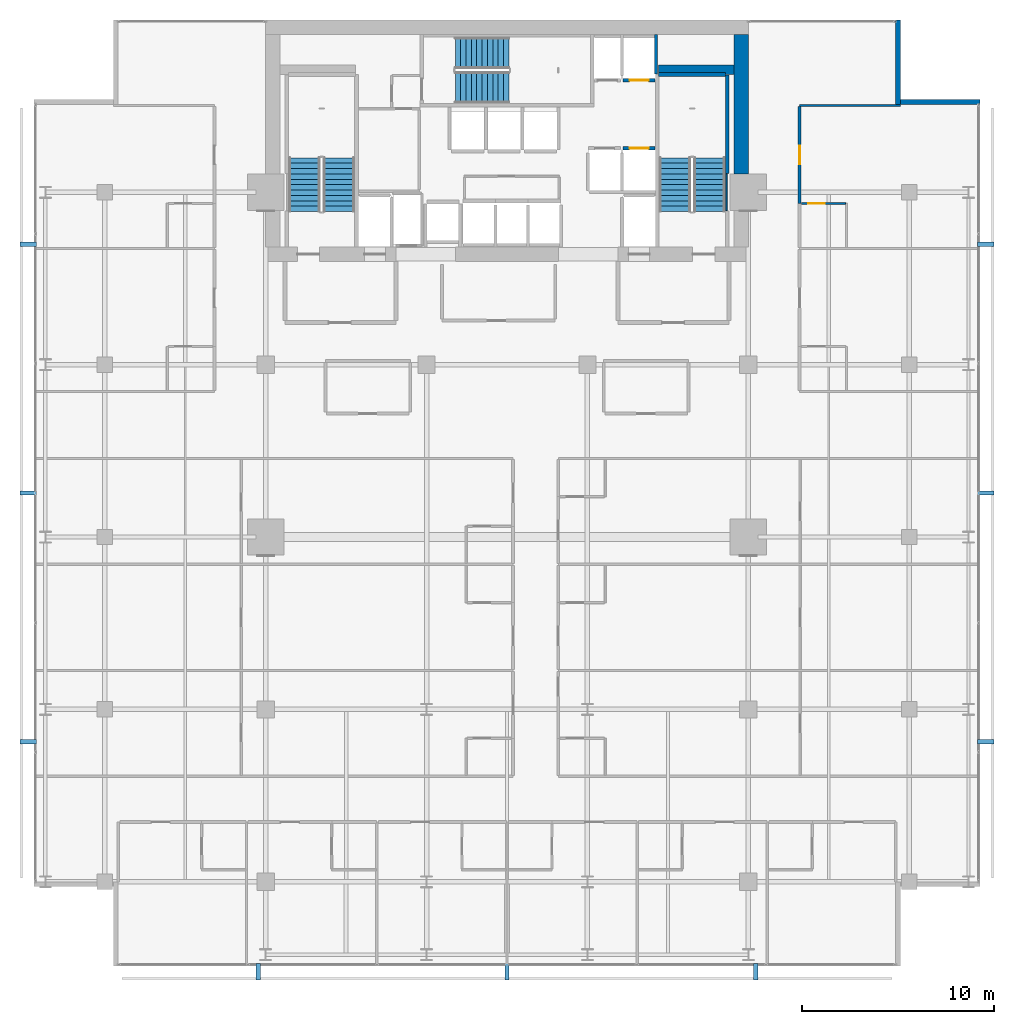
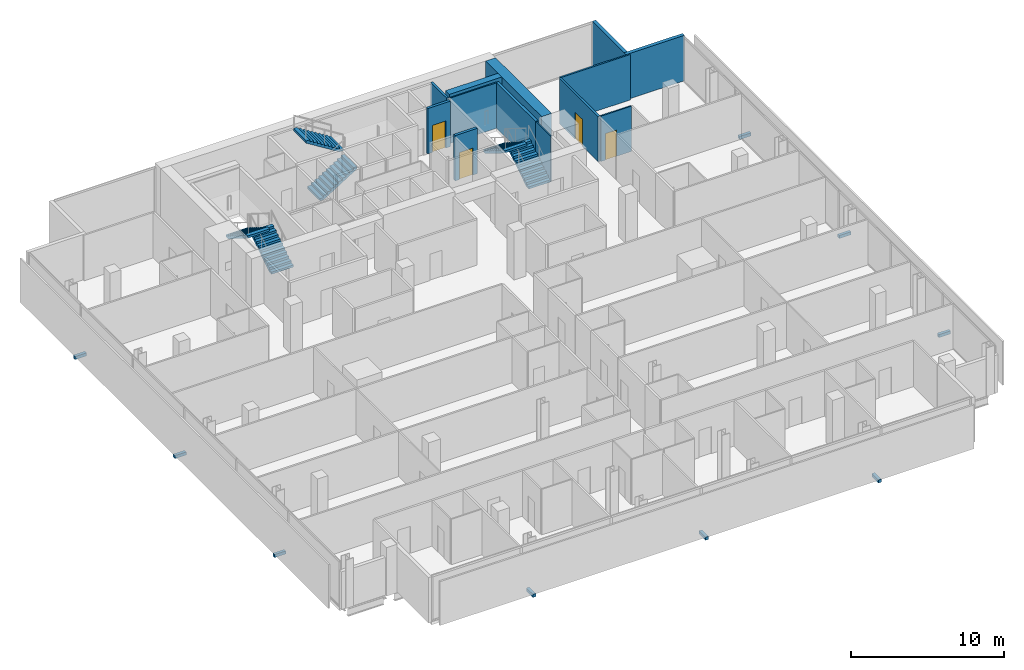
# One storey, part 31 of 33: 13 walls, 9 discrete accessories, 6 stair flights, 4 doors, 4 openings, 3 elements without a shape of their own.
"""IFC4 building model written with IfcOpenShell, lengths in metres."""

from ifc_helpers import new_model, si_unit, direction, frame, frame_2d, origin, origin_2d, place, context, subcontext, project, spatial, polyline, rectangle, outline, extrude, material, layer, layer_set, type_object, element, fill, aggregate, save


model = new_model("IFC4")

# Units and contexts
model_context = context("Model", 3, precision=1e-05, world=origin(), true_north=direction((0.0, 1.0)))
body_context = subcontext(model_context, "Body", "Model", "MODEL_VIEW")
ifc_project = project(units=[si_unit("LENGTHUNIT", "METRE"), si_unit("AREAUNIT", "SQUARE_METRE"), si_unit("VOLUMEUNIT", "CUBIC_METRE"), si_unit("PLANEANGLEUNIT", "RADIAN"), si_unit("MASSUNIT", "GRAM", prefix="KILO")], contexts=[model_context])

# Site, building, storey
site_placement = place(None, origin())
site = spatial("IfcSite", under=ifc_project, at=site_placement, CompositionType="ELEMENT")
building_placement = place(site_placement, origin())
building = spatial("IfcBuilding", under=site, at=building_placement, Name="Maruvema Waterfront Hotel and Observation Tower", CompositionType="ELEMENT")
storey_placement = place(building_placement, frame((0.0, 0.0, 150.5)))
storey = spatial("IfcBuildingStorey", under=building, at=storey_placement, Name="L36", CompositionType="ELEMENT", Elevation=150.5)

# Wall, opening, door
ifc_material_1 = material(Name="Twin-stud acoustic gypsum drywall", Category="gypsum")
ifc_layer_1 = layer(ifc_material_1, 0.14990234375, Name="Acoustic Corridor and Suite Demising Wall 150 mm")
ifc_layer_set_1 = layer_set([ifc_layer_1], Name="Twin-stud acoustic gypsum drywall")
wall_type_1 = type_object("IfcWallType", Name="Acoustic Corridor and Suite Demising Wall 150 mm", PredefinedType="PARTITIONING", material=ifc_layer_set_1)
wall_1_placement = place(storey_placement, frame((53.080078125, 44.418701171875, 0.0), z_axis=(0.0, 0.0, 1.0), x_axis=(0.0, 1.0, 0.0)))
wall_1 = element("IfcWall", 1, at=wall_1_placement, inside=storey, type_object=wall_type_1, Name="L36 Room L36-NE2 Corridor Wall 117", PredefinedType="PARTITIONING", context=body_context, shape_type="SweptSolid", body=[
    extrude(rectangle(XDim=5.058837890625, YDim=0.14990234375, at=frame_2d((2.529296875, 0.0))), origin(), (0.0, 0.0, 1.0), 3.610107421875),
])
opening_1_placement = place(wall_1_placement, frame((2.054443359375, 0.0, 0.0)))
opening_1 = element("IfcOpeningElement", 2, at=opening_1_placement, cuts=wall_1, Name="Opening DR-095", PredefinedType="OPENING", context=body_context, shape_type="SweptSolid", body=[
    extrude(rectangle(XDim=0.949951171875, YDim=2.14990234375, at=frame_2d((0.47509765625, 1.074951171875))), frame((0.0, 0.0849609375, 0.0), z_axis=(0.0, -1.0, 0.0), x_axis=(1.0, 0.0, 0.0)), (0.0, 0.0, 1.0), 0.169921875),
])
ifc_material_2 = material(Name="Acoustic solid-core hardwood timber leaf", Category="wood")
door_type_1 = type_object("IfcDoorType", Name="Guestroom Entrance Fire Door 950x2150 mm", OperationType="NOTDEFINED", PredefinedType="DOOR", material=ifc_material_2)
door_1_placement = place(opening_1_placement, frame((0.949951171875, 0.0, 0.0), z_axis=(0.0, 0.0, 1.0), x_axis=(-1.0, 0.0, 0.0)))
door_1 = element("IfcDoor", 3, at=door_1_placement, inside=storey, type_object=door_type_1, Name="L36 Room L36-NE2 Entrance Door", OperationType="SINGLE_SWING_RIGHT", OverallHeight=2.14990234375, OverallWidth=0.949951171875, PredefinedType="DOOR", context=body_context, shape_type="SweptSolid", body=[
    extrude(rectangle(XDim=0.949951171875, YDim=2.14990234375, at=frame_2d((0.47509765625, 1.074951171875))), frame((0.0, 0.02490234375, 0.0), z_axis=(0.0, -1.0, 0.0), x_axis=(1.0, 0.0, 0.0)), (0.0, 0.0, 1.0), 0.050048828125),
])
fill(opening_1, door_1)

# Walls
ifc_material_3 = material(Name="Precast concrete C45/55", Category="concrete")
ifc_layer_2 = layer(ifc_material_3, 0.199951171875, Name="Core Shaft and Stairwell Enclosure Wall 200 mm")
ifc_layer_set_2 = layer_set([ifc_layer_2], Name="Precast concrete C45/55")
wall_type_2 = type_object("IfcWallType", Name="Core Shaft and Stairwell Enclosure Wall 200 mm", PredefinedType="SOLIDWALL", material=ifc_layer_set_2)
wall_2_placement = place(storey_placement, frame((49.300048828125, 45.97998046875, 0.0), z_axis=(0.0, 0.0, 1.0), x_axis=(0.0, 1.0, 0.0)))
element("IfcWall", 4, at=wall_2_placement, inside=storey, type_object=wall_type_2, Name="L36 Stairwell ST-03 Shaft Lining Wall", PredefinedType="SOLIDWALL", context=body_context, shape_type="SweptSolid", body=[
    extrude(rectangle(XDim=5.14013671875, YDim=0.199951171875, at=frame_2d((2.570068359375, 0.0))), origin(), (0.0, 0.0, 1.0), 3.610107421875),
])
wall_3_placement = place(storey_placement, frame((45.719970703125, 51.14990234375, 0.0), z_axis=(0.0, 0.0, 1.0), x_axis=(1.0, 0.0, 0.0)))
element("IfcWall", 5, at=wall_3_placement, inside=storey, type_object=wall_type_2, Name="L36 Stairwell ST-03 Shaft Lining Wall", PredefinedType="SOLIDWALL", context=body_context, shape_type="SweptSolid", body=[
    extrude(rectangle(XDim=3.5, YDim=0.199951171875, at=frame_2d((1.75, 0.0))), origin(), (0.0, 0.0, 1.0), 3.610107421875),
])

# Wall, opening, door
wall_4_placement = place(storey_placement, frame((43.860107421875, 47.300048828125, 0.0), z_axis=(0.0, 0.0, 1.0), x_axis=(1.0, 0.0, 0.0)))
wall_4 = element("IfcWall", 6, at=wall_4_placement, inside=storey, type_object=wall_type_2, Name="L36 Lift LF-06 Hoistway Front Wall", PredefinedType="SOLIDWALL", context=body_context, shape_type="SweptSolid", body=[
    extrude(rectangle(XDim=1.679931640625, YDim=0.199951171875, at=frame_2d((0.83984375, 0.0))), origin(), (0.0, 0.0, 1.0), 3.610107421875),
])
opening_2_placement = place(wall_4_placement, frame((0.340087890625, 0.0, 0.0)))
opening_2 = element("IfcOpeningElement", 7, at=opening_2_placement, cuts=wall_4, Name="Opening LD-01", PredefinedType="OPENING", context=body_context, shape_type="SweptSolid", body=[
    extrude(rectangle(XDim=1.0, YDim=2.14990234375, at=frame_2d((0.5, 1.074951171875))), frame((0.0, 0.10986328125, 0.0), z_axis=(0.0, -1.0, 0.0), x_axis=(1.0, 0.0, 0.0)), (0.0, 0.0, 1.0), 0.219970703125),
])
ifc_material_4 = material(Name="Brushed stainless steel Grade 316", Category="steel")
door_type_2 = type_object("IfcDoorType", Name="Passenger Lift Sliding Landing Door 1000x2150 mm", OperationType="SLIDING_TO_LEFT", PredefinedType="DOOR", material=ifc_material_4)
door_2_placement = place(opening_2_placement, origin())
door_2 = element("IfcDoor", 8, at=door_2_placement, inside=storey, type_object=door_type_2, Name="L36 Lift LF-06 Sliding Landing Door", OperationType="SLIDING_TO_LEFT", OverallHeight=2.14990234375, OverallWidth=1.0, PredefinedType="DOOR", context=body_context, shape_type="SweptSolid", body=[
    extrude(rectangle(XDim=1.0, YDim=2.14990234375, at=frame_2d((0.5, 1.074951171875))), frame((0.0, 0.02490234375, 0.0), z_axis=(0.0, -1.0, 0.0), x_axis=(1.0, 0.0, 0.0)), (0.0, 0.0, 1.0), 0.050048828125),
])
fill(opening_2, door_2)

wall_5_placement = place(storey_placement, frame((43.860107421875, 50.85009765625, 0.0), z_axis=(0.0, 0.0, 1.0), x_axis=(1.0, 0.0, 0.0)))
wall_5 = element("IfcWall", 9, at=wall_5_placement, inside=storey, type_object=wall_type_2, Name="L36 Lift LF-08 Hoistway Front Wall", PredefinedType="SOLIDWALL", context=body_context, shape_type="SweptSolid", body=[
    extrude(rectangle(XDim=1.679931640625, YDim=0.199951171875, at=frame_2d((0.83984375, 0.0))), origin(), (0.0, 0.0, 1.0), 3.610107421875),
])
opening_3_placement = place(wall_5_placement, frame((0.340087890625, 0.0, 0.0)))
opening_3 = element("IfcOpeningElement", 10, at=opening_3_placement, cuts=wall_5, Name="Opening LD-01", PredefinedType="OPENING", context=body_context, shape_type="SweptSolid", body=[
    extrude(rectangle(XDim=1.0, YDim=2.14990234375, at=frame_2d((0.5, 1.074951171875))), frame((0.0, 0.10986328125, 0.0), z_axis=(0.0, -1.0, 0.0), x_axis=(1.0, 0.0, 0.0)), (0.0, 0.0, 1.0), 0.219970703125),
])
door_3_placement = place(opening_3_placement, frame((1.0, 0.0, 0.0), z_axis=(0.0, 0.0, 1.0), x_axis=(-1.0, 0.0, 0.0)))
door_3 = element("IfcDoor", 11, at=door_3_placement, inside=storey, type_object=door_type_2, Name="L36 Lift LF-08 Sliding Landing Door", OperationType="SLIDING_TO_LEFT", OverallHeight=2.14990234375, OverallWidth=1.0, PredefinedType="DOOR", context=body_context, shape_type="SweptSolid", body=[
    extrude(rectangle(XDim=1.0, YDim=2.14990234375, at=frame_2d((0.5, 1.074951171875))), frame((0.0, 0.02490234375, 0.0), z_axis=(0.0, -1.0, 0.0), x_axis=(1.0, 0.0, 0.0)), (0.0, 0.0, 1.0), 0.050048828125),
])
fill(opening_3, door_3)

# Walls
ifc_material_5 = material(Name="Concrete C70/85", Category="concrete")
ifc_layer_3 = layer(ifc_material_5, 0.5, Name="Core Shear Wall 500 mm")
ifc_layer_set_3 = layer_set([ifc_layer_3], Name="Concrete C70/85")
wall_type_3 = type_object("IfcWallType", Name="Core Shear Wall 500 mm", PredefinedType="SHEAR", material=ifc_layer_set_3)
wall_6_placement = place(storey_placement, frame((45.699951171875, 51.39990234375, 0.0), z_axis=(0.0, 0.0, 1.0), x_axis=(1.0, 0.0, 0.0)))
element("IfcWall", 12, at=wall_6_placement, inside=storey, type_object=wall_type_3, Name="L36 Internal Core Shear Wall NE 500 mm", PredefinedType="SHEAR", context=body_context, shape_type="SweptSolid", body=[
    extrude(rectangle(XDim=3.949951171875, YDim=0.5, at=frame_2d((1.97509765625, 0.0))), origin(), (0.0, 0.0, 1.0), 3.85009765625),
])
ifc_material_6 = material(Name="Concrete C70/85", Category="concrete")
ifc_layer_4 = layer(ifc_material_6, 0.75, Name="Core Shear Wall 750 mm")
ifc_layer_set_4 = layer_set([ifc_layer_4], Name="Concrete C70/85")
wall_type_4 = type_object("IfcWallType", Name="Core Shear Wall 750 mm", PredefinedType="SHEAR", material=ifc_layer_set_4)
wall_7_placement = place(storey_placement, frame((50.02490234375, 45.949951171875, 0.0), z_axis=(0.0, 0.0, 1.0), x_axis=(0.0, 1.0, 0.0)))
element("IfcWall", 13, at=wall_7_placement, inside=storey, type_object=wall_type_4, Name="L36 East-North Core Shear Wall", PredefinedType="SHEAR", context=body_context, shape_type="SweptSolid", body=[
    extrude(rectangle(XDim=7.300048828125, YDim=0.75, at=frame_2d((3.64990234375, 0.0))), origin(), (0.0, 0.0, 1.0), 3.85009765625),
])

# Wall, opening, door
ifc_material_7 = material(Name="Moisture-resistant cement-board drywall", Category="gypsum")
ifc_layer_5 = layer(ifc_material_7, 0.10009765625, Name="En-Suite Moisture-Resistant Partition 100 mm")
ifc_layer_set_5 = layer_set([ifc_layer_5], Name="Moisture-resistant cement-board drywall")
wall_type_5 = type_object("IfcWallType", Name="En-Suite Moisture-Resistant Partition 100 mm", PredefinedType="PARTITIONING", material=ifc_layer_set_5)
wall_8_placement = place(storey_placement, frame((53.179931640625, 44.418701171875, 0.0), z_axis=(0.0, 0.0, 1.0), x_axis=(1.0, 0.0, 0.0)))
wall_8 = element("IfcWall", 14, at=wall_8_placement, inside=storey, type_object=wall_type_5, Name="L36 En-Suite L36-NE2 N 119", PredefinedType="PARTITIONING", context=body_context, shape_type="SweptSolid", body=[
    extrude(rectangle(XDim=2.300048828125, YDim=0.10009765625, at=frame_2d((1.14990234375, 0.0))), origin(), (0.0, 0.0, 1.0), 3.610107421875),
])
opening_4_placement = place(wall_8_placement, frame((0.35009765625, 0.0, 0.0)))
opening_4 = element("IfcOpeningElement", 15, at=opening_4_placement, cuts=wall_8, Name="Opening DR-085", PredefinedType="OPENING", context=body_context, shape_type="SweptSolid", body=[
    extrude(rectangle(XDim=0.85009765625, YDim=2.10009765625, at=frame_2d((0.425048828125, 1.050048828125))), frame((0.0, 0.06005859375, 0.0), z_axis=(0.0, -1.0, 0.0), x_axis=(1.0, 0.0, 0.0)), (0.0, 0.0, 1.0), 0.1201171875),
])
ifc_material_8 = material(Name="Moisture-resistant solid timber leaf", Category="wood")
door_type_3 = type_object("IfcDoorType", Name="En-Suite Bathroom Door 850x2100 mm", OperationType="NOTDEFINED", PredefinedType="DOOR", material=ifc_material_8)
door_4_placement = place(opening_4_placement, origin())
door_4 = element("IfcDoor", 16, at=door_4_placement, inside=storey, type_object=door_type_3, Name="L36 En-Suite L36-NE2 Door", OperationType="SINGLE_SWING_LEFT", OverallHeight=2.10009765625, OverallWidth=0.85009765625, PredefinedType="DOOR", context=body_context, shape_type="SweptSolid", body=[
    extrude(rectangle(XDim=0.85009765625, YDim=2.10009765625, at=frame_2d((0.425048828125, 1.050048828125))), frame((0.0, 0.02490234375, 0.0), z_axis=(0.0, -1.0, 0.0), x_axis=(1.0, 0.0, 0.0)), (0.0, 0.0, 1.0), 0.050048828125),
])
fill(opening_4, door_4)

# Walls
ifc_material_9 = material(Name="Precast concrete C45/55 with honed Pernambuco granite facing", Category="masonry")
ifc_layer_6 = layer(ifc_material_9, 0.260009765625, Name="Exterior Granite Clad Spandrel and Pier Wall 260 mm")
ifc_layer_set_6 = layer_set([ifc_layer_6], Name="Precast concrete C45/55 with honed Pernambuco granite facing")
wall_type_6 = type_object("IfcWallType", Name="Exterior Granite Clad Spandrel and Pier Wall 260 mm", PredefinedType="SOLIDWALL", material=ifc_layer_set_6)
for number, where, z_axis, x_axis, name in (
    (17, (58.22998046875, 54.0, 0.0), (0.0, 0.0, 1.0), (0.0, -1.0, 0.0), "L36 Corner Notch Granite Pier Wall NE1"),
    (18, (58.10009765625, 49.72998046875, 0.0), (0.0, 0.0, 1.0), (1.0, 0.0, 0.0), "L36 Corner Notch Granite Pier Wall NE2"),
):
    element("IfcWall", number, at=place(storey_placement, frame(where, z_axis=z_axis, x_axis=x_axis)), inside=storey, type_object=wall_type_6, Name=name, PredefinedType="SOLIDWALL", context=body_context, shape_type="SweptSolid", body=[
        extrude(rectangle(XDim=4.39990234375, YDim=0.260009765625, at=frame_2d((2.199951171875, 0.0))), origin(), (0.0, 0.0, 1.0), 3.610107421875),
    ])
ifc_material_10 = material(Name="Acoustic gypsum plasterboard drywall", Category="gypsum")
ifc_layer_7 = layer(ifc_material_10, 0.125, Name="Guestroom Acoustic Demising Wall 125 mm")
ifc_layer_set_7 = layer_set([ifc_layer_7], Name="Acoustic gypsum plasterboard drywall")
wall_type_7 = type_object("IfcWallType", Name="Guestroom Acoustic Demising Wall 125 mm", PredefinedType="PARTITIONING", material=ifc_layer_set_7)
wall_9_placement = place(storey_placement, frame((53.080078125, 49.53759765625, 0.0), z_axis=(0.0, 0.0, 1.0), x_axis=(1.0, 0.0, 0.0)))
element("IfcWall", 19, at=wall_9_placement, inside=storey, type_object=wall_type_7, Name="L36 Z2 NE Top End 101", PredefinedType="PARTITIONING", context=body_context, shape_type="SweptSolid", body=[
    extrude(rectangle(XDim=5.280029296875, YDim=0.125, at=frame_2d((2.64013671875, 0.0))), origin(), (0.0, 0.0, 1.0), 3.610107421875),
])
ifc_material_11 = material(Name="Precast concrete C45/55", Category="concrete")
ifc_layer_8 = layer(ifc_material_11, 0.159912109375, Name="Lift Hoistway Divider Wall 160 mm")
ifc_layer_set_8 = layer_set([ifc_layer_8], Name="Precast concrete C45/55")
wall_type_8 = type_object("IfcWallType", Name="Lift Hoistway Divider Wall 160 mm", PredefinedType="SOLIDWALL", material=ifc_layer_set_8)
wall_10_placement = place(storey_placement, frame((45.590087890625, 51.179931640625, 0.0), z_axis=(0.0, 0.0, 1.0), x_axis=(0.0, 1.0, 0.0)))
element("IfcWall", 20, at=wall_10_placement, inside=storey, type_object=wall_type_8, Name="L36 Hoistway Divider Wall", PredefinedType="SOLIDWALL", context=body_context, shape_type="SweptSolid", body=[
    extrude(rectangle(XDim=2.070068359375, YDim=0.159912109375, at=frame_2d((1.03515625, 0.0))), origin(), (0.0, 0.0, 1.0), 3.610107421875),
])
ifc_material_12 = material(Name="Precast concrete C45/55", Category="concrete")
ifc_layer_9 = layer(ifc_material_12, 0.10009765625, Name="Stairwell Stringer Cheek Wall 100 mm")
ifc_layer_set_9 = layer_set([ifc_layer_9], Name="Precast concrete C45/55")
wall_type_9 = type_object("IfcWallType", Name="Stairwell Stringer Cheek Wall 100 mm", PredefinedType="SOLIDWALL", material=ifc_layer_set_9)
wall_11_placement = place(storey_placement, frame((49.248046875, 44.0400390625, 0.0), z_axis=(0.0, 0.0, 1.0), x_axis=(0.0, 1.0, 0.0)))
element("IfcWall", 21, at=wall_11_placement, inside=storey, type_object=wall_type_9, Name="L36 Stairwell ST-03 Mega-Column Cheek Wall", PredefinedType="SOLIDWALL", context=body_context, shape_type="SweptSolid", body=[
    extrude(rectangle(XDim=1.919921875, YDim=0.10009765625, at=frame_2d((0.9599609375, 0.0))), origin(), (0.0, 0.0, 1.0), 3.610107421875),
])

# Stair, stair flights
ifc_material_13 = material(Name="Concrete C50/60", Category="concrete")
stair_type = type_object("IfcStairType", Name="Dogleg Exit Stair 1650 mm (22R x 175.0 mm)", PredefinedType="HALF_TURN_STAIR", material=ifc_material_13)
stair_1_placement = place(storey_placement, origin())
stair_1 = element("IfcStair", 22, at=stair_1_placement, inside=storey, type_object=stair_type, Name="L36 ST-01", PredefinedType="HALF_TURN_STAIR")
ifc_material_14 = material(Name="Concrete C50/60", Category="concrete")
stair_flight_type = type_object("IfcStairFlightType", Name="Reinforced Concrete Stair Flight 1650 mm (11R x 175.0 mm)", PredefinedType="STRAIGHT", material=ifc_material_14)
stair_flight_1_placement = place(storey_placement, frame((29.02490234375, 44.0, 0.0), z_axis=(0.0, 0.0, 1.0), x_axis=(0.0, 1.0, 0.0)))
stair_flight_1 = element("IfcStairFlight", 23, at=stair_flight_1_placement, type_object=stair_flight_type, Name="ST-01 flight 1", NumberOfRisers=11, NumberOfTreads=10, PredefinedType="STRAIGHT", RiserHeight=0.175, TreadLength=0.28, context=body_context, shape_type="SweptSolid", body=[
    extrude(outline(polyline([(0.0, 0.0), (0.0, 0.175048828125), (0.280029296875, 0.175048828125), (0.280029296875, 0.35009765625), (0.56005859375, 0.35009765625), (0.56005859375, 0.52490234375), (0.840087890625, 0.52490234375), (0.840087890625, 0.699951171875), (1.1201171875, 0.699951171875), (1.1201171875, 0.875), (1.39990234375, 0.875), (1.39990234375, 1.050048828125), (1.679931640625, 1.050048828125), (1.679931640625, 1.22509765625), (1.9599609375, 1.22509765625), (1.9599609375, 1.39990234375), (2.239990234375, 1.39990234375), (2.239990234375, 1.574951171875), (2.52001953125, 1.574951171875), (2.52001953125, 1.75), (2.800048828125, 1.75), (2.800048828125, 1.925048828125), (2.800048828125, 1.5732421875), (0.28271484375, 0.0), (0.0, 0.0)])), frame((0.0, 0.824951171875, 0.0), z_axis=(0.0, -1.0, 0.0), x_axis=(1.0, 0.0, 0.0)), (0.0, 0.0, 1.0), 1.64990234375),
])
stair_flight_2_placement = place(storey_placement, frame((27.22509765625, 46.800048828125, 1.925048828125), z_axis=(0.0, 0.0, 1.0), x_axis=(0.0, -1.0, 0.0)))
stair_flight_2 = element("IfcStairFlight", 24, at=stair_flight_2_placement, type_object=stair_flight_type, Name="ST-01 flight 2", NumberOfRisers=11, NumberOfTreads=10, PredefinedType="STRAIGHT", RiserHeight=0.175, TreadLength=0.28, context=body_context, shape_type="SweptSolid", body=[
    extrude(outline(polyline([(0.0, 0.0), (0.0, 0.175048828125), (0.280029296875, 0.175048828125), (0.280029296875, 0.35009765625), (0.56005859375, 0.35009765625), (0.56005859375, 0.52490234375), (0.840087890625, 0.52490234375), (0.840087890625, 0.699951171875), (1.1201171875, 0.699951171875), (1.1201171875, 0.875), (1.39990234375, 0.875), (1.39990234375, 1.050048828125), (1.679931640625, 1.050048828125), (1.679931640625, 1.22509765625), (1.9599609375, 1.22509765625), (1.9599609375, 1.39990234375), (2.239990234375, 1.39990234375), (2.239990234375, 1.574951171875), (2.52001953125, 1.574951171875), (2.52001953125, 1.75), (2.800048828125, 1.75), (2.800048828125, 1.925048828125), (2.800048828125, 1.5732421875), (0.28271484375, 0.0), (0.0, 0.0)])), frame((0.0, 0.824951171875, 0.0), z_axis=(0.0, -1.0, 0.0), x_axis=(1.0, 0.0, 0.0)), (0.0, 0.0, 1.0), 1.64990234375),
])
aggregate(stair_1, [stair_flight_1, stair_flight_2])

stair_2_placement = place(storey_placement, origin())
stair_2 = element("IfcStair", 25, at=stair_2_placement, inside=storey, type_object=stair_type, Name="L36 ST-02", PredefinedType="HALF_TURN_STAIR")
stair_flight_3_placement = place(storey_placement, frame((35.10009765625, 50.47509765625, 0.0), z_axis=(0.0, 0.0, 1.0), x_axis=(1.0, 0.0, 0.0)))
stair_flight_3 = element("IfcStairFlight", 26, at=stair_flight_3_placement, type_object=stair_flight_type, Name="ST-02 flight 1", NumberOfRisers=11, NumberOfTreads=10, PredefinedType="STRAIGHT", RiserHeight=0.175, TreadLength=0.28, context=body_context, shape_type="SweptSolid", body=[
    extrude(outline(polyline([(0.0, 0.0), (0.0, 0.175048828125), (0.280029296875, 0.175048828125), (0.280029296875, 0.35009765625), (0.56005859375, 0.35009765625), (0.56005859375, 0.52490234375), (0.840087890625, 0.52490234375), (0.840087890625, 0.699951171875), (1.1201171875, 0.699951171875), (1.1201171875, 0.875), (1.39990234375, 0.875), (1.39990234375, 1.050048828125), (1.679931640625, 1.050048828125), (1.679931640625, 1.22509765625), (1.9599609375, 1.22509765625), (1.9599609375, 1.39990234375), (2.239990234375, 1.39990234375), (2.239990234375, 1.574951171875), (2.52001953125, 1.574951171875), (2.52001953125, 1.75), (2.800048828125, 1.75), (2.800048828125, 1.925048828125), (2.800048828125, 1.5732421875), (0.28271484375, 0.0), (0.0, 0.0)])), frame((0.0, 0.824951171875, 0.0), z_axis=(0.0, -1.0, 0.0), x_axis=(1.0, 0.0, 0.0)), (0.0, 0.0, 1.0), 1.64990234375),
])
stair_flight_4_placement = place(storey_placement, frame((37.89990234375, 52.27490234375, 1.925048828125), z_axis=(0.0, 0.0, 1.0), x_axis=(-1.0, 0.0, 0.0)))
stair_flight_4 = element("IfcStairFlight", 27, at=stair_flight_4_placement, type_object=stair_flight_type, Name="ST-02 flight 2", NumberOfRisers=11, NumberOfTreads=10, PredefinedType="STRAIGHT", RiserHeight=0.175, TreadLength=0.28, context=body_context, shape_type="SweptSolid", body=[
    extrude(outline(polyline([(0.0, 0.0), (0.0, 0.175048828125), (0.280029296875, 0.175048828125), (0.280029296875, 0.35009765625), (0.56005859375, 0.35009765625), (0.56005859375, 0.52490234375), (0.840087890625, 0.52490234375), (0.840087890625, 0.699951171875), (1.1201171875, 0.699951171875), (1.1201171875, 0.875), (1.39990234375, 0.875), (1.39990234375, 1.050048828125), (1.679931640625, 1.050048828125), (1.679931640625, 1.22509765625), (1.9599609375, 1.22509765625), (1.9599609375, 1.39990234375), (2.239990234375, 1.39990234375), (2.239990234375, 1.574951171875), (2.52001953125, 1.574951171875), (2.52001953125, 1.75), (2.800048828125, 1.75), (2.800048828125, 1.925048828125), (2.800048828125, 1.5732421875), (0.28271484375, 0.0), (0.0, 0.0)])), frame((0.0, 0.824951171875, 0.0), z_axis=(0.0, -1.0, 0.0), x_axis=(1.0, 0.0, 0.0)), (0.0, 0.0, 1.0), 1.64990234375),
])
aggregate(stair_2, [stair_flight_3, stair_flight_4])

stair_3_placement = place(storey_placement, origin())
stair_3 = element("IfcStair", 28, at=stair_3_placement, inside=storey, type_object=stair_type, Name="L36 ST-03", PredefinedType="HALF_TURN_STAIR")
stair_flight_5_placement = place(storey_placement, frame((48.375, 44.0, 0.0), z_axis=(0.0, 0.0, 1.0), x_axis=(0.0, 1.0, 0.0)))
stair_flight_5 = element("IfcStairFlight", 29, at=stair_flight_5_placement, type_object=stair_flight_type, Name="ST-03 flight 1", NumberOfRisers=11, NumberOfTreads=10, PredefinedType="STRAIGHT", RiserHeight=0.175, TreadLength=0.28, context=body_context, shape_type="SweptSolid", body=[
    extrude(outline(polyline([(0.0, 0.0), (0.0, 0.175048828125), (0.280029296875, 0.175048828125), (0.280029296875, 0.35009765625), (0.56005859375, 0.35009765625), (0.56005859375, 0.52490234375), (0.840087890625, 0.52490234375), (0.840087890625, 0.699951171875), (1.1201171875, 0.699951171875), (1.1201171875, 0.875), (1.39990234375, 0.875), (1.39990234375, 1.050048828125), (1.679931640625, 1.050048828125), (1.679931640625, 1.22509765625), (1.9599609375, 1.22509765625), (1.9599609375, 1.39990234375), (2.239990234375, 1.39990234375), (2.239990234375, 1.574951171875), (2.52001953125, 1.574951171875), (2.52001953125, 1.75), (2.800048828125, 1.75), (2.800048828125, 1.925048828125), (2.800048828125, 1.5732421875), (0.28271484375, 0.0), (0.0, 0.0)])), frame((0.0, 0.824951171875, 0.0), z_axis=(0.0, -1.0, 0.0), x_axis=(1.0, 0.0, 0.0)), (0.0, 0.0, 1.0), 1.64990234375),
])
stair_flight_6_placement = place(storey_placement, frame((46.574951171875, 46.800048828125, 1.925048828125), z_axis=(0.0, 0.0, 1.0), x_axis=(0.0, -1.0, 0.0)))
stair_flight_6 = element("IfcStairFlight", 30, at=stair_flight_6_placement, type_object=stair_flight_type, Name="ST-03 flight 2", NumberOfRisers=11, NumberOfTreads=10, PredefinedType="STRAIGHT", RiserHeight=0.175, TreadLength=0.28, context=body_context, shape_type="SweptSolid", body=[
    extrude(outline(polyline([(0.0, 0.0), (0.0, 0.175048828125), (0.280029296875, 0.175048828125), (0.280029296875, 0.35009765625), (0.56005859375, 0.35009765625), (0.56005859375, 0.52490234375), (0.840087890625, 0.52490234375), (0.840087890625, 0.699951171875), (1.1201171875, 0.699951171875), (1.1201171875, 0.875), (1.39990234375, 0.875), (1.39990234375, 1.050048828125), (1.679931640625, 1.050048828125), (1.679931640625, 1.22509765625), (1.9599609375, 1.22509765625), (1.9599609375, 1.39990234375), (2.239990234375, 1.39990234375), (2.239990234375, 1.574951171875), (2.52001953125, 1.574951171875), (2.52001953125, 1.75), (2.800048828125, 1.75), (2.800048828125, 1.925048828125), (2.800048828125, 1.5732421875), (0.28271484375, 0.0), (0.0, 0.0)])), frame((0.0, 0.824951171875, 0.0), z_axis=(0.0, -1.0, 0.0), x_axis=(1.0, 0.0, 0.0)), (0.0, 0.0, 1.0), 1.64990234375),
])
aggregate(stair_3, [stair_flight_5, stair_flight_6])

# Discrete accessories
ifc_material_15 = material(Name="Duplex stainless steel Grade 2205", Category="steel")
discrete_accessory_type = type_object("IfcDiscreteAccessoryType", Name="Double-Skin Cavity Stainless Outrigger Bracket", PredefinedType="BRACKET", material=ifc_material_15)
for number, where, z_axis, x_axis, name in (
    (31, (24.80810546875, 4.300048828125, -0.14013671875), (0.0, 0.0, 1.0), (1.0, 0.0, 0.0), "L36 Outer Skin Support Bracket 1"),
    (32, (37.800048828125, 4.300048828125, -0.14013671875), (0.0, 0.0, 1.0), (1.0, 0.0, 0.0), "L36 Outer Skin Support Bracket 2"),
    (33, (50.7919921875, 4.300048828125, -0.14013671875), (0.0, 0.0, 1.0), (1.0, 0.0, 0.0), "L36 Outer Skin Support Bracket 3"),
    (34, (62.800048828125, 16.30810546875, -0.14013671875), (0.0, 0.0, 1.0), (0.0, 1.0, 0.0), "L36 Outer Skin Support Bracket 1"),
    (35, (62.800048828125, 29.300048828125, -0.14013671875), (0.0, 0.0, 1.0), (0.0, 1.0, 0.0), "L36 Outer Skin Support Bracket 2"),
    (36, (62.800048828125, 42.2919921875, -0.14013671875), (0.0, 0.0, 1.0), (0.0, 1.0, 0.0), "L36 Outer Skin Support Bracket 3"),
    (37, (12.800048828125, 42.2919921875, -0.14013671875), (0.0, 0.0, 1.0), (0.0, -1.0, 0.0), "L36 Outer Skin Support Bracket 1"),
    (38, (12.800048828125, 29.300048828125, -0.14013671875), (0.0, 0.0, 1.0), (0.0, -1.0, 0.0), "L36 Outer Skin Support Bracket 2"),
    (39, (12.800048828125, 16.30810546875, -0.14013671875), (0.0, 0.0, 1.0), (0.0, -1.0, 0.0), "L36 Outer Skin Support Bracket 3"),
):
    element("IfcDiscreteAccessory", number, at=place(storey_placement, frame(where, z_axis=z_axis, x_axis=x_axis)), inside=storey, type_object=discrete_accessory_type, Name=name, PredefinedType="BRACKET", context=body_context, shape_type="SweptSolid", body=[
        extrude(rectangle(XDim=0.219970703125, YDim=0.860107421875, at=origin_2d()), origin(), (0.0, 0.0, 1.0), 0.239990234375),
    ])

save(model, "model.ifc")
